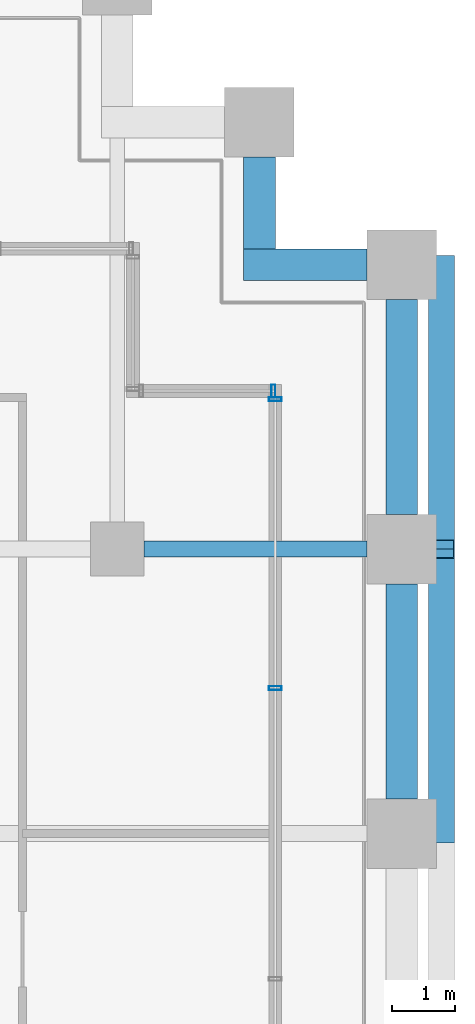
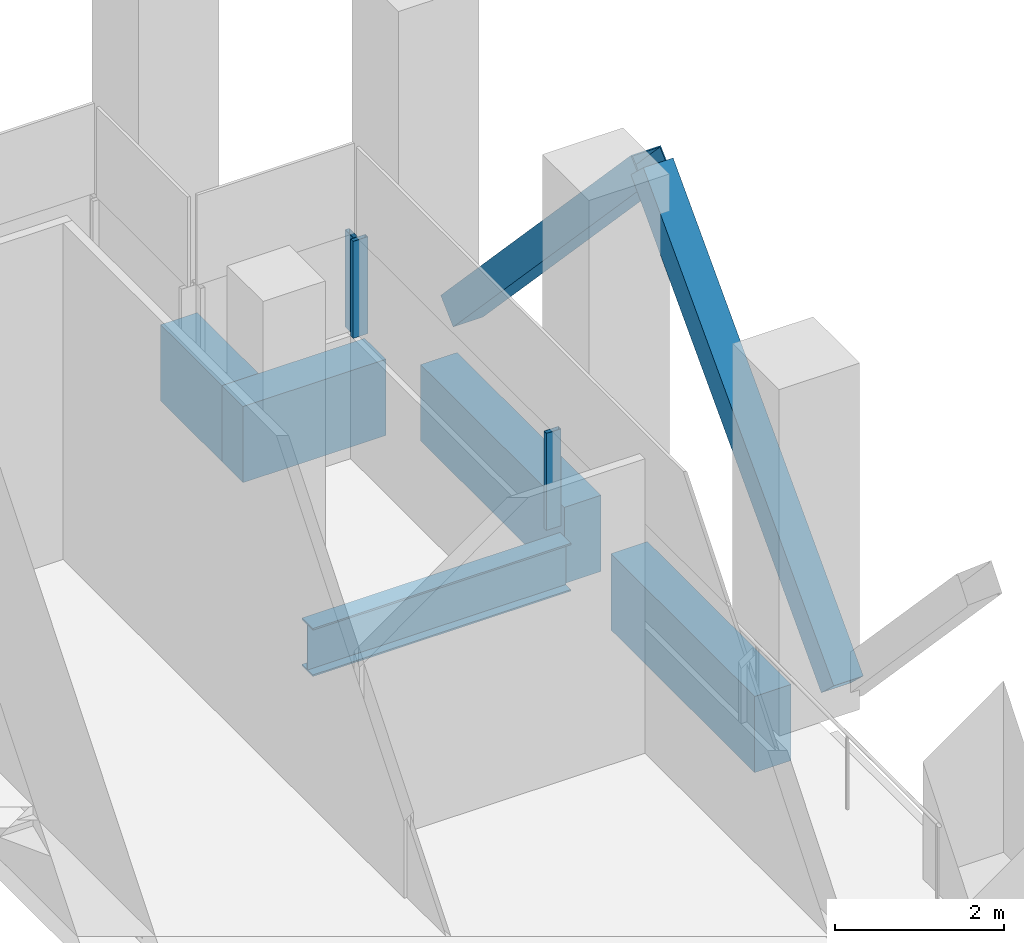
# One storey, part 33 of 44: 5 beams, 5 members, 2 elements without a shape of their own.
"""IFC4 building model written with IfcOpenShell, lengths in metres."""

from ifc_helpers import new_model, si_unit, direction, frame, origin, origin_2d, place, context, subcontext, project, spatial, rectangle, hollow_rectangle, i_section, extrude, material, material_profile, profile_set, type_object, element, aggregate, save


model = new_model("IFC4")

# Units and contexts
model_context = context("Model", 3, precision=1e-05, world=origin(), true_north=direction((0.0, 1.0)))
body_context = subcontext(model_context, "Body", "Model", "MODEL_VIEW")
ifc_project = project(units=[si_unit("LENGTHUNIT", "METRE"), si_unit("AREAUNIT", "SQUARE_METRE"), si_unit("VOLUMEUNIT", "CUBIC_METRE"), si_unit("PLANEANGLEUNIT", "RADIAN"), si_unit("MASSUNIT", "GRAM", prefix="KILO")], contexts=[model_context])

# Site, building, storey
site_placement = place(None, origin())
site = spatial("IfcSite", under=ifc_project, at=site_placement, CompositionType="ELEMENT")
building_placement = place(site_placement, origin())
building = spatial("IfcBuilding", under=site, at=building_placement, Name="Altepetl Exchange Towers", CompositionType="ELEMENT")
storey_placement = place(building_placement, frame((0.0, 0.0, 87.0)))
storey = spatial("IfcBuildingStorey", under=building, at=storey_placement, Name="L21 Refuge", CompositionType="ELEMENT", Elevation=87.0)

# Members
ifc_material_1 = material(Name="Steel S355", Category="steel")
ifc_material_profile_1 = material_profile(ifc_material_1, hollow_rectangle(XDim=0.406005859375, YDim=0.406005859375, WallThickness=0.014892578125, at=origin_2d()), Name="HSS406X406X15.9")
ifc_profile_set_1 = profile_set([ifc_material_profile_1], Name="Steel S355")
member_type_1 = type_object("IfcMemberType", Name="Belt diagonal HSS406X406X15.9", PredefinedType="BRACE", material=ifc_profile_set_1)
for number, where, z_axis, x_axis, name in (
    (1, (126.6298828125, 45.0, 0.0), (0.0, 0.687744647911, 0.725952683906), (-1.0, 0.0, 0.0), "brc:B:L21:008"),
    (2, (126.6298828125, 49.5, 4.75), (0.0, 0.687744647911, -0.725952683906), (-1.0, 0.0, 0.0), "brc:B:L21:009"),
):
    element("IfcMember", number, at=place(storey_placement, frame(where, z_axis=z_axis, x_axis=x_axis)), inside=storey, type_object=member_type_1, Name=name, PredefinedType="BRACE", context=body_context, shape_type="SweptSolid", body=[
        extrude(hollow_rectangle(XDim=0.406005859375, YDim=0.406005859375, WallThickness=0.014892578125, at=origin_2d()), origin(), (0.0, 0.0, 1.0), 6.543212890625),
    ])

# Beam
ifc_material_profile_2 = material_profile(ifc_material_1, i_section(OverallWidth=0.256103515625, OverallDepth=0.69189453125, WebThickness=0.014404296875, FlangeThickness=0.02294921875, at=origin_2d()), Name="W27X114")
ifc_profile_set_2 = profile_set([ifc_material_profile_2], Name="Steel S355")
beam_type_1 = type_object("IfcBeamType", Name="Girder W27X114", PredefinedType="BEAM", material=ifc_profile_set_2)
beam_1_placement = place(storey_placement, frame((121.925048828125, 49.5, -0.5458984375), z_axis=(1.0, 0.0, 0.0), x_axis=(0.0, 1.0, 0.0)))
element("IfcBeam", 3, at=beam_1_placement, inside=storey, type_object=beam_type_1, Name="gd:B:L21:001", PredefinedType="BEAM", context=body_context, shape_type="SweptSolid", body=[
    extrude(i_section(OverallWidth=0.256103515625, OverallDepth=0.69189453125, WebThickness=0.014404296875, FlangeThickness=0.02294921875, at=origin_2d()), origin(), (0.0, 0.0, 1.0), 3.52490234375),
])

# Curtain wall, members
ifc_material_2 = material(Name="Aluminium 6063-T6 glazing", Category="aluminium")
curtain_wall_type = type_object("IfcCurtainWallType", Name="Refuge slit glazing system", PredefinedType="NOTDEFINED", material=ifc_material_2)
curtain_wall_1_placement = place(storey_placement, origin())
curtain_wall_1 = element("IfcCurtainWall", 4, at=curtain_wall_1_placement, inside=storey, type_object=curtain_wall_type, Name="CW3 run", PredefinedType="NOTDEFINED")
ifc_material_3 = material(Name="Aluminium 6063-T6", Category="aluminium")
ifc_material_profile_3 = material_profile(ifc_material_3, hollow_rectangle(XDim=0.06005859375, YDim=0.199951171875, WallThickness=0.0029296875, at=origin_2d()), Name="Mullion 60x200 aluminium")
ifc_profile_set_3 = profile_set([ifc_material_profile_3], Name="Aluminium 6063-T6")
member_type_2 = type_object("IfcMemberType", Name="Mullion 60x200 aluminium", PredefinedType="MULLION", material=ifc_profile_set_3)
member_1_placement = place(storey_placement, frame((124.0, 47.300048828125, 1.800048828125), z_axis=(0.0, 0.0, 1.0), x_axis=(0.0, 1.0, 0.0)))
member_1 = element("IfcMember", 5, at=member_1_placement, type_object=member_type_2, Name="MU2 mullion", PredefinedType="MULLION", context=body_context, shape_type="SweptSolid", body=[
    extrude(hollow_rectangle(XDim=0.06005859375, YDim=0.199951171875, WallThickness=0.0029296875, at=origin_2d()), origin(), (0.0, 0.0, 1.0), 1.39990234375),
])
member_2_placement = place(storey_placement, frame((124.0, 51.8701171875, 1.800048828125), z_axis=(0.0, 0.0, 1.0), x_axis=(0.0, 1.0, 0.0)))
member_2 = element("IfcMember", 6, at=member_2_placement, type_object=member_type_2, Name="MU2 mullion", PredefinedType="MULLION", context=body_context, shape_type="SweptSolid", body=[
    extrude(hollow_rectangle(XDim=0.06005859375, YDim=0.199951171875, WallThickness=0.0029296875, at=origin_2d()), origin(), (0.0, 0.0, 1.0), 1.39990234375),
])
aggregate(curtain_wall_1, [member_1, member_2])

# Curtain wall, member
curtain_wall_2_placement = place(storey_placement, origin())
curtain_wall_2 = element("IfcCurtainWall", 7, at=curtain_wall_2_placement, inside=storey, type_object=curtain_wall_type, Name="CW3 run", PredefinedType="NOTDEFINED")
member_3_placement = place(storey_placement, frame((123.969970703125, 52.0, 1.800048828125), z_axis=(0.0, 0.0, 1.0), x_axis=(-1.0, 0.0, 0.0)))
member_3 = element("IfcMember", 8, at=member_3_placement, type_object=member_type_2, Name="MU2 mullion", PredefinedType="MULLION", context=body_context, shape_type="SweptSolid", body=[
    extrude(hollow_rectangle(XDim=0.06005859375, YDim=0.199951171875, WallThickness=0.0029296875, at=origin_2d()), origin(), (0.0, 0.0, 1.0), 1.39990234375),
])
aggregate(curtain_wall_2, [member_3])

# Beams
ifc_material_4 = material(Name="Concrete C50/60 precast with cantera amarilla facing", Category="concrete")
ifc_material_profile_4 = material_profile(ifc_material_4, rectangle(XDim=0.5, YDim=1.10009765625, at=origin_2d()), Name="500 x 1100")
ifc_profile_set_4 = profile_set([ifc_material_profile_4], Name="Concrete C50/60 precast with cantera amarilla facing")
beam_type_2 = type_object("IfcBeamType", Name="Spandrel beam 500x1100 cantera amarilla", PredefinedType="SPANDREL", material=ifc_profile_set_4)
beam_2_placement = place(storey_placement, frame((126.0, 50.050048828125, -0.75), z_axis=(0.0, 1.0, 0.0), x_axis=(-1.0, 0.0, 0.0)))
element("IfcBeam", 9, at=beam_2_placement, inside=storey, type_object=beam_type_2, Name="sp:B:L21:013", PredefinedType="SPANDREL", context=body_context, shape_type="SweptSolid", body=[
    extrude(rectangle(XDim=0.5, YDim=1.10009765625, at=origin_2d()), origin(), (0.0, 0.0, 1.0), 3.39990234375),
])
beam_3_placement = place(storey_placement, frame((125.449951171875, 54.0, -0.75), z_axis=(-1.0, 0.0, 0.0), x_axis=(0.0, -1.0, 0.0)))
element("IfcBeam", 10, at=beam_3_placement, inside=storey, type_object=beam_type_2, Name="sp:B:L21:014", PredefinedType="SPANDREL", context=body_context, shape_type="SweptSolid", body=[
    extrude(rectangle(XDim=0.5, YDim=1.10009765625, at=origin_2d()), origin(), (0.0, 0.0, 1.0), 1.949951171875),
])
beam_4_placement = place(storey_placement, frame((123.75, 54.25, -0.75), z_axis=(0.0, 1.0, 0.0), x_axis=(-1.0, 0.0, 0.0)))
element("IfcBeam", 11, at=beam_4_placement, inside=storey, type_object=beam_type_2, Name="sp:B:L21:015", PredefinedType="SPANDREL", context=body_context, shape_type="SweptSolid", body=[
    extrude(rectangle(XDim=0.5, YDim=1.10009765625, at=origin_2d()), origin(), (0.0, 0.0, 1.0), 1.449951171875),
])
ifc_material_5 = material(Name="Concrete C50/60 precast with cantera blanca facing", Category="concrete")
ifc_material_profile_5 = material_profile(ifc_material_5, rectangle(XDim=0.5, YDim=1.10009765625, at=origin_2d()), Name="500 x 1100")
ifc_profile_set_5 = profile_set([ifc_material_profile_5], Name="Concrete C50/60 precast with cantera blanca facing")
beam_type_3 = type_object("IfcBeamType", Name="Spandrel beam 500x1100 cantera blanca", PredefinedType="SPANDREL", material=ifc_profile_set_5)
beam_5_placement = place(storey_placement, frame((126.0, 45.550048828125, -0.75), z_axis=(0.0, 1.0, 0.0), x_axis=(-1.0, 0.0, 0.0)))
element("IfcBeam", 12, at=beam_5_placement, inside=storey, type_object=beam_type_3, Name="sp:B:L21:012", PredefinedType="SPANDREL", context=body_context, shape_type="SweptSolid", body=[
    extrude(rectangle(XDim=0.5, YDim=1.10009765625, at=origin_2d()), origin(), (0.0, 0.0, 1.0), 3.39990234375),
])

save(model, "model.ifc")
